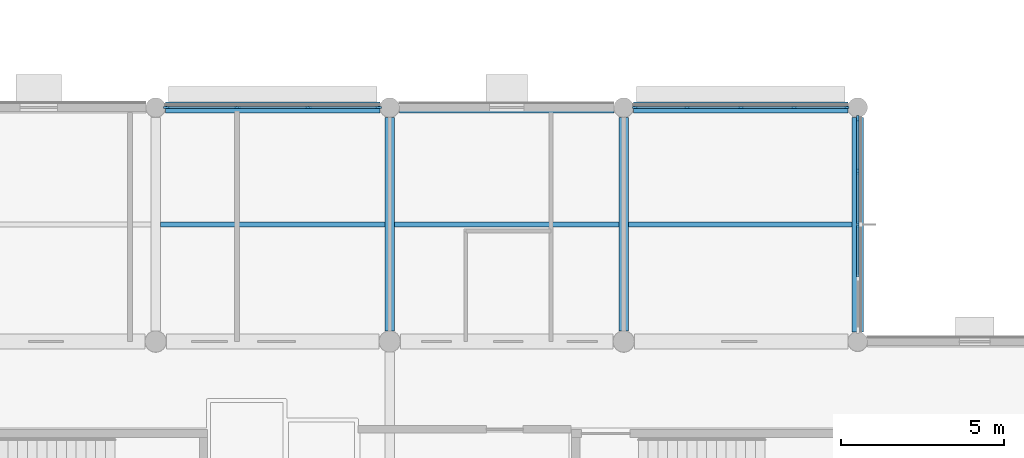
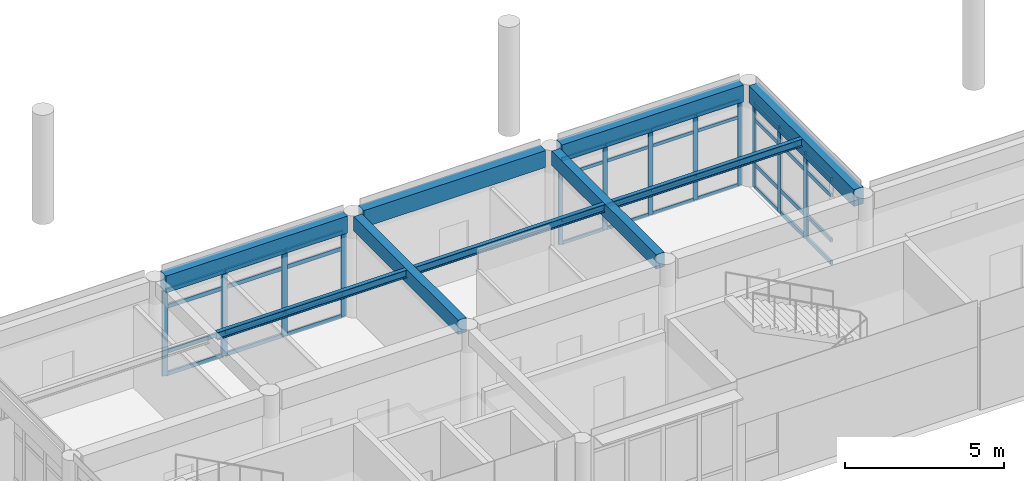
# One storey, part 14 of 55: 52 members, 9 beams, 3 elements without a shape of their own.
"""IFC4 building model written with IfcOpenShell, lengths in metres."""

from ifc_helpers import new_model, si_unit, direction, frame, origin, origin_2d, place, context, subcontext, project, spatial, rectangle, i_section, extrude, material, layer, layer_set, material_profile, profile_set, type_object, element, aggregate, save


model = new_model("IFC4")

# Units and contexts
model_context = context("Model", 3, precision=1e-05, world=origin(), true_north=direction((0.0, 1.0)))
body_context = subcontext(model_context, "Body", "Model", "MODEL_VIEW")
ifc_project = project(units=[si_unit("LENGTHUNIT", "METRE"), si_unit("AREAUNIT", "SQUARE_METRE"), si_unit("VOLUMEUNIT", "CUBIC_METRE"), si_unit("PLANEANGLEUNIT", "RADIAN"), si_unit("MASSUNIT", "GRAM", prefix="KILO")], contexts=[model_context])

# Site, building, storey
site_placement = place(None, origin())
site = spatial("IfcSite", under=ifc_project, at=site_placement, CompositionType="ELEMENT")
building_placement = place(site_placement, origin())
building = spatial("IfcBuilding", under=site, at=building_placement, Name="Namkhue Oval Health Centre", CompositionType="ELEMENT")
storey_placement = place(building_placement, frame((0.0, 0.0, 9.60009765625)))
storey = spatial("IfcBuildingStorey", under=building, at=storey_placement, Name="L02", CompositionType="ELEMENT", Elevation=9.60009765625)

# Curtain wall, members
ifc_material_1 = material(Name="Anodised aluminium EN AW-6063 T6", Category="aluminium")
ifc_layer_1 = layer(ifc_material_1, 0.159912109375)
ifc_layer_set_1 = layer_set([ifc_layer_1], Name="Anodised aluminium EN AW-6063 T6")
curtain_wall_type_1 = type_object("IfcCurtainWallType", Name="UNITISED CURTAIN WALL M1800", PredefinedType="NOTDEFINED", material=ifc_layer_set_1)
curtain_wall_1_placement = place(storey_placement, origin())
curtain_wall_1 = element("IfcCurtainWall", 1, at=curtain_wall_1_placement, inside=storey, type_object=curtain_wall_type_1, Name="Volume V3 L02 Unitised Curtain Wall 113", PredefinedType="NOTDEFINED")
ifc_material_profile_1 = material_profile(ifc_material_1, rectangle(XDim=0.06494140625, YDim=0.159912109375, at=origin_2d()), Name="ALU 65x160")
ifc_profile_set_1 = profile_set([ifc_material_profile_1], Name="Anodised aluminium EN AW-6063 T6")
member_type_1 = type_object("IfcMemberType", Name="CURTAIN WALL MULLION 65X160", PredefinedType="MULLION", material=ifc_profile_set_1)
member_1_placement = place(storey_placement, frame((122.0576171875, 104.39990234375, 0.0), z_axis=(0.0, 0.0, 1.0), x_axis=(0.0, -1.0, 0.0)))
member_1 = element("IfcMember", 2, at=member_1_placement, type_object=member_type_1, Name="CW-05 mullion 1", PredefinedType="MULLION", context=body_context, shape_type="SweptSolid", body=[
    extrude(rectangle(XDim=0.06494140625, YDim=0.159912109375, at=origin_2d()), origin(), (0.0, 0.0, 1.0), 3.27490234375),
])
member_2_placement = place(storey_placement, frame((120.445068359375, 104.39990234375, 0.0), z_axis=(0.0, 0.0, 1.0), x_axis=(0.0, -1.0, 0.0)))
member_2 = element("IfcMember", 3, at=member_2_placement, type_object=member_type_1, Name="CW-05 mullion 2", PredefinedType="MULLION", context=body_context, shape_type="SweptSolid", body=[
    extrude(rectangle(XDim=0.06494140625, YDim=0.159912109375, at=origin_2d()), origin(), (0.0, 0.0, 1.0), 3.27490234375),
])
member_3_placement = place(storey_placement, frame((118.800048828125, 104.39990234375, 0.0), z_axis=(0.0, 0.0, 1.0), x_axis=(0.0, -1.0, 0.0)))
member_3 = element("IfcMember", 4, at=member_3_placement, type_object=member_type_1, Name="CW-05 mullion 3", PredefinedType="MULLION", context=body_context, shape_type="SweptSolid", body=[
    extrude(rectangle(XDim=0.06494140625, YDim=0.159912109375, at=origin_2d()), origin(), (0.0, 0.0, 1.0), 3.27490234375),
])
member_4_placement = place(storey_placement, frame((117.155029296875, 104.39990234375, 0.0), z_axis=(0.0, 0.0, 1.0), x_axis=(0.0, -1.0, 0.0)))
member_4 = element("IfcMember", 5, at=member_4_placement, type_object=member_type_1, Name="CW-05 mullion 4", PredefinedType="MULLION", context=body_context, shape_type="SweptSolid", body=[
    extrude(rectangle(XDim=0.06494140625, YDim=0.159912109375, at=origin_2d()), origin(), (0.0, 0.0, 1.0), 3.27490234375),
])
member_5_placement = place(storey_placement, frame((115.54248046875, 104.39990234375, 0.0), z_axis=(0.0, 0.0, 1.0), x_axis=(0.0, -1.0, 0.0)))
member_5 = element("IfcMember", 6, at=member_5_placement, type_object=member_type_1, Name="CW-05 mullion 5", PredefinedType="MULLION", context=body_context, shape_type="SweptSolid", body=[
    extrude(rectangle(XDim=0.06494140625, YDim=0.159912109375, at=origin_2d()), origin(), (0.0, 0.0, 1.0), 3.27490234375),
])

ifc_layer_2 = layer(ifc_material_1, 0.159912109375)
ifc_layer_set_2 = layer_set([ifc_layer_2], Name="Anodised aluminium EN AW-6063 T6")
curtain_wall_type_2 = type_object("IfcCurtainWallType", Name="UNITISED CURTAIN WALL M1600", PredefinedType="NOTDEFINED", material=ifc_layer_set_2)
curtain_wall_2_placement = place(storey_placement, origin())
curtain_wall_2 = element("IfcCurtainWall", 7, at=curtain_wall_2_placement, inside=storey, type_object=curtain_wall_type_2, Name="Volume V3 L02 Unitised Curtain Wall 112", PredefinedType="NOTDEFINED")
ifc_material_profile_2 = material_profile(ifc_material_1, rectangle(XDim=0.074951171875, YDim=0.199951171875, at=origin_2d()), Name="ALU 75x200")
ifc_profile_set_2 = profile_set([ifc_material_profile_2], Name="Anodised aluminium EN AW-6063 T6")
member_type_2 = type_object("IfcMemberType", Name="CURTAIN WALL MULLION 75X200", PredefinedType="MULLION", material=ifc_profile_set_2)
member_6_placement = place(storey_placement, frame((122.39990234375, 100.800048828125, 0.0), z_axis=(0.0, 0.0, 1.0), x_axis=(-1.0, 0.0, 0.0)))
member_6 = element("IfcMember", 8, at=member_6_placement, type_object=member_type_2, Name="CW-04 mullion 3", PredefinedType="MULLION", context=body_context, shape_type="SweptSolid", body=[
    extrude(rectangle(XDim=0.074951171875, YDim=0.199951171875, at=origin_2d()), origin(), (0.0, 0.0, 1.0), 3.27490234375),
])
member_7_placement = place(storey_placement, frame((122.39990234375, 102.445068359375, 0.0), z_axis=(0.0, 0.0, 1.0), x_axis=(-1.0, 0.0, 0.0)))
member_7 = element("IfcMember", 9, at=member_7_placement, type_object=member_type_2, Name="CW-04 mullion 4", PredefinedType="MULLION", context=body_context, shape_type="SweptSolid", body=[
    extrude(rectangle(XDim=0.074951171875, YDim=0.199951171875, at=origin_2d()), origin(), (0.0, 0.0, 1.0), 3.27490234375),
])
member_8_placement = place(storey_placement, frame((122.39990234375, 104.052490234375, 0.0), z_axis=(0.0, 0.0, 1.0), x_axis=(-1.0, 0.0, 0.0)))
member_8 = element("IfcMember", 10, at=member_8_placement, type_object=member_type_2, Name="CW-04 mullion 5", PredefinedType="MULLION", context=body_context, shape_type="SweptSolid", body=[
    extrude(rectangle(XDim=0.074951171875, YDim=0.199951171875, at=origin_2d()), origin(), (0.0, 0.0, 1.0), 3.27490234375),
])

ifc_layer_3 = layer(ifc_material_1, 0.159912109375)
ifc_layer_set_3 = layer_set([ifc_layer_3], Name="Anodised aluminium EN AW-6063 T6")
curtain_wall_type_3 = type_object("IfcCurtainWallType", Name="UNITISED CURTAIN WALL M2000", PredefinedType="NOTDEFINED", material=ifc_layer_set_3)
curtain_wall_3_placement = place(storey_placement, origin())
curtain_wall_3 = element("IfcCurtainWall", 11, at=curtain_wall_3_placement, inside=storey, type_object=curtain_wall_type_3, Name="Volume V3 L02 Unitised Curtain Wall 114", PredefinedType="NOTDEFINED")
member_9_placement = place(storey_placement, frame((107.652587890625, 104.39990234375, 0.0), z_axis=(0.0, 0.0, 1.0), x_axis=(0.0, -1.0, 0.0)))
member_9 = element("IfcMember", 12, at=member_9_placement, type_object=member_type_2, Name="CW-06 mullion 1", PredefinedType="MULLION", context=body_context, shape_type="SweptSolid", body=[
    extrude(rectangle(XDim=0.074951171875, YDim=0.199951171875, at=origin_2d()), origin(), (0.0, 0.0, 1.0), 3.27490234375),
])
member_10_placement = place(storey_placement, frame((105.49658203125, 104.39990234375, 0.0), z_axis=(0.0, 0.0, 1.0), x_axis=(0.0, -1.0, 0.0)))
member_10 = element("IfcMember", 13, at=member_10_placement, type_object=member_type_2, Name="CW-06 mullion 2", PredefinedType="MULLION", context=body_context, shape_type="SweptSolid", body=[
    extrude(rectangle(XDim=0.074951171875, YDim=0.199951171875, at=origin_2d()), origin(), (0.0, 0.0, 1.0), 3.27490234375),
])
member_11_placement = place(storey_placement, frame((103.30322265625, 104.39990234375, 0.0), z_axis=(0.0, 0.0, 1.0), x_axis=(0.0, -1.0, 0.0)))
member_11 = element("IfcMember", 14, at=member_11_placement, type_object=member_type_2, Name="CW-06 mullion 3", PredefinedType="MULLION", context=body_context, shape_type="SweptSolid", body=[
    extrude(rectangle(XDim=0.074951171875, YDim=0.199951171875, at=origin_2d()), origin(), (0.0, 0.0, 1.0), 3.27490234375),
])
member_12_placement = place(storey_placement, frame((101.1474609375, 104.39990234375, 0.0), z_axis=(0.0, 0.0, 1.0), x_axis=(0.0, -1.0, 0.0)))
member_12 = element("IfcMember", 15, at=member_12_placement, type_object=member_type_2, Name="CW-06 mullion 4", PredefinedType="MULLION", context=body_context, shape_type="SweptSolid", body=[
    extrude(rectangle(XDim=0.074951171875, YDim=0.199951171875, at=origin_2d()), origin(), (0.0, 0.0, 1.0), 3.27490234375),
])

# Member
ifc_material_profile_3 = material_profile(ifc_material_1, rectangle(XDim=0.06494140625, YDim=0.1201171875, at=origin_2d()), Name="ALU 65x120")
ifc_profile_set_3 = profile_set([ifc_material_profile_3], Name="Anodised aluminium EN AW-6063 T6")
member_type_3 = type_object("IfcMemberType", Name="CURTAIN WALL TRANSOM 65X120", PredefinedType="USERDEFINED", material=ifc_profile_set_3)
member_13_placement = place(storey_placement, frame((122.02490234375, 104.39990234375, 0.032470703125), z_axis=(-1.0, 0.0, 0.0), x_axis=(0.0, -1.0, 0.0)))
member_13 = element("IfcMember", 16, at=member_13_placement, type_object=member_type_3, Name="CW-05 transom 1.1", ObjectType="TRANSOM", PredefinedType="USERDEFINED", context=body_context, shape_type="SweptSolid", body=[
    extrude(rectangle(XDim=0.06494140625, YDim=0.1201171875, at=origin_2d()), origin(), (0.0, 0.0, 1.0), 1.54736328125),
])

member_14_placement = place(storey_placement, frame((122.02490234375, 104.39990234375, 0.89990234375), z_axis=(-1.0, 0.0, 0.0), x_axis=(0.0, -1.0, 0.0)))
member_14 = element("IfcMember", 17, at=member_14_placement, type_object=member_type_3, Name="CW-05 transom 1.2", ObjectType="TRANSOM", PredefinedType="USERDEFINED", context=body_context, shape_type="SweptSolid", body=[
    extrude(rectangle(XDim=0.06494140625, YDim=0.1201171875, at=origin_2d()), origin(), (0.0, 0.0, 1.0), 1.54736328125),
])

member_15_placement = place(storey_placement, frame((122.02490234375, 104.39990234375, 2.625), z_axis=(-1.0, 0.0, 0.0), x_axis=(0.0, -1.0, 0.0)))
member_15 = element("IfcMember", 18, at=member_15_placement, type_object=member_type_3, Name="CW-05 transom 1.3", ObjectType="TRANSOM", PredefinedType="USERDEFINED", context=body_context, shape_type="SweptSolid", body=[
    extrude(rectangle(XDim=0.06494140625, YDim=0.1201171875, at=origin_2d()), origin(), (0.0, 0.0, 1.0), 1.54736328125),
])

member_16_placement = place(storey_placement, frame((122.02490234375, 104.39990234375, 3.242431640625), z_axis=(-1.0, 0.0, 0.0), x_axis=(0.0, -1.0, 0.0)))
member_16 = element("IfcMember", 19, at=member_16_placement, type_object=member_type_3, Name="CW-05 transom 1.4", ObjectType="TRANSOM", PredefinedType="USERDEFINED", context=body_context, shape_type="SweptSolid", body=[
    extrude(rectangle(XDim=0.06494140625, YDim=0.1201171875, at=origin_2d()), origin(), (0.0, 0.0, 1.0), 1.54736328125),
])

member_17_placement = place(storey_placement, frame((120.41259765625, 104.39990234375, 0.032470703125), z_axis=(-1.0, 0.0, 0.0), x_axis=(0.0, -1.0, 0.0)))
member_17 = element("IfcMember", 20, at=member_17_placement, type_object=member_type_3, Name="CW-05 transom 2.1", ObjectType="TRANSOM", PredefinedType="USERDEFINED", context=body_context, shape_type="SweptSolid", body=[
    extrude(rectangle(XDim=0.06494140625, YDim=0.1201171875, at=origin_2d()), origin(), (0.0, 0.0, 1.0), 1.580078125),
])

member_18_placement = place(storey_placement, frame((120.41259765625, 104.39990234375, 0.89990234375), z_axis=(-1.0, 0.0, 0.0), x_axis=(0.0, -1.0, 0.0)))
member_18 = element("IfcMember", 21, at=member_18_placement, type_object=member_type_3, Name="CW-05 transom 2.2", ObjectType="TRANSOM", PredefinedType="USERDEFINED", context=body_context, shape_type="SweptSolid", body=[
    extrude(rectangle(XDim=0.06494140625, YDim=0.1201171875, at=origin_2d()), origin(), (0.0, 0.0, 1.0), 1.580078125),
])

member_19_placement = place(storey_placement, frame((120.41259765625, 104.39990234375, 2.625), z_axis=(-1.0, 0.0, 0.0), x_axis=(0.0, -1.0, 0.0)))
member_19 = element("IfcMember", 22, at=member_19_placement, type_object=member_type_3, Name="CW-05 transom 2.3", ObjectType="TRANSOM", PredefinedType="USERDEFINED", context=body_context, shape_type="SweptSolid", body=[
    extrude(rectangle(XDim=0.06494140625, YDim=0.1201171875, at=origin_2d()), origin(), (0.0, 0.0, 1.0), 1.580078125),
])

member_20_placement = place(storey_placement, frame((120.41259765625, 104.39990234375, 3.242431640625), z_axis=(-1.0, 0.0, 0.0), x_axis=(0.0, -1.0, 0.0)))
member_20 = element("IfcMember", 23, at=member_20_placement, type_object=member_type_3, Name="CW-05 transom 2.4", ObjectType="TRANSOM", PredefinedType="USERDEFINED", context=body_context, shape_type="SweptSolid", body=[
    extrude(rectangle(XDim=0.06494140625, YDim=0.1201171875, at=origin_2d()), origin(), (0.0, 0.0, 1.0), 1.580078125),
])

member_21_placement = place(storey_placement, frame((118.767578125, 104.39990234375, 0.032470703125), z_axis=(-1.0, 0.0, 0.0), x_axis=(0.0, -1.0, 0.0)))
member_21 = element("IfcMember", 24, at=member_21_placement, type_object=member_type_3, Name="CW-05 transom 3.1", ObjectType="TRANSOM", PredefinedType="USERDEFINED", context=body_context, shape_type="SweptSolid", body=[
    extrude(rectangle(XDim=0.06494140625, YDim=0.1201171875, at=origin_2d()), origin(), (0.0, 0.0, 1.0), 1.580078125),
])

member_22_placement = place(storey_placement, frame((118.767578125, 104.39990234375, 0.89990234375), z_axis=(-1.0, 0.0, 0.0), x_axis=(0.0, -1.0, 0.0)))
member_22 = element("IfcMember", 25, at=member_22_placement, type_object=member_type_3, Name="CW-05 transom 3.2", ObjectType="TRANSOM", PredefinedType="USERDEFINED", context=body_context, shape_type="SweptSolid", body=[
    extrude(rectangle(XDim=0.06494140625, YDim=0.1201171875, at=origin_2d()), origin(), (0.0, 0.0, 1.0), 1.580078125),
])

member_23_placement = place(storey_placement, frame((118.767578125, 104.39990234375, 2.625), z_axis=(-1.0, 0.0, 0.0), x_axis=(0.0, -1.0, 0.0)))
member_23 = element("IfcMember", 26, at=member_23_placement, type_object=member_type_3, Name="CW-05 transom 3.3", ObjectType="TRANSOM", PredefinedType="USERDEFINED", context=body_context, shape_type="SweptSolid", body=[
    extrude(rectangle(XDim=0.06494140625, YDim=0.1201171875, at=origin_2d()), origin(), (0.0, 0.0, 1.0), 1.580078125),
])

member_24_placement = place(storey_placement, frame((118.767578125, 104.39990234375, 3.242431640625), z_axis=(-1.0, 0.0, 0.0), x_axis=(0.0, -1.0, 0.0)))
member_24 = element("IfcMember", 27, at=member_24_placement, type_object=member_type_3, Name="CW-05 transom 3.4", ObjectType="TRANSOM", PredefinedType="USERDEFINED", context=body_context, shape_type="SweptSolid", body=[
    extrude(rectangle(XDim=0.06494140625, YDim=0.1201171875, at=origin_2d()), origin(), (0.0, 0.0, 1.0), 1.580078125),
])

member_25_placement = place(storey_placement, frame((117.12255859375, 104.39990234375, 0.032470703125), z_axis=(-1.0, 0.0, 0.0), x_axis=(0.0, -1.0, 0.0)))
member_25 = element("IfcMember", 28, at=member_25_placement, type_object=member_type_3, Name="CW-05 transom 4.1", ObjectType="TRANSOM", PredefinedType="USERDEFINED", context=body_context, shape_type="SweptSolid", body=[
    extrude(rectangle(XDim=0.06494140625, YDim=0.1201171875, at=origin_2d()), origin(), (0.0, 0.0, 1.0), 1.547607421875),
])

member_26_placement = place(storey_placement, frame((117.12255859375, 104.39990234375, 0.89990234375), z_axis=(-1.0, 0.0, 0.0), x_axis=(0.0, -1.0, 0.0)))
member_26 = element("IfcMember", 29, at=member_26_placement, type_object=member_type_3, Name="CW-05 transom 4.2", ObjectType="TRANSOM", PredefinedType="USERDEFINED", context=body_context, shape_type="SweptSolid", body=[
    extrude(rectangle(XDim=0.06494140625, YDim=0.1201171875, at=origin_2d()), origin(), (0.0, 0.0, 1.0), 1.547607421875),
])

member_27_placement = place(storey_placement, frame((117.12255859375, 104.39990234375, 2.625), z_axis=(-1.0, 0.0, 0.0), x_axis=(0.0, -1.0, 0.0)))
member_27 = element("IfcMember", 30, at=member_27_placement, type_object=member_type_3, Name="CW-05 transom 4.3", ObjectType="TRANSOM", PredefinedType="USERDEFINED", context=body_context, shape_type="SweptSolid", body=[
    extrude(rectangle(XDim=0.06494140625, YDim=0.1201171875, at=origin_2d()), origin(), (0.0, 0.0, 1.0), 1.547607421875),
])

member_28_placement = place(storey_placement, frame((117.12255859375, 104.39990234375, 3.242431640625), z_axis=(-1.0, 0.0, 0.0), x_axis=(0.0, -1.0, 0.0)))
member_28 = element("IfcMember", 31, at=member_28_placement, type_object=member_type_3, Name="CW-05 transom 4.4", ObjectType="TRANSOM", PredefinedType="USERDEFINED", context=body_context, shape_type="SweptSolid", body=[
    extrude(rectangle(XDim=0.06494140625, YDim=0.1201171875, at=origin_2d()), origin(), (0.0, 0.0, 1.0), 1.547607421875),
])

aggregate(curtain_wall_1, [member_1, member_2, member_3, member_4, member_5, member_13, member_14, member_15, member_16, member_17, member_18, member_19, member_20, member_21, member_22, member_23, member_24, member_25, member_26, member_27, member_28])

ifc_material_profile_4 = material_profile(ifc_material_1, rectangle(XDim=0.074951171875, YDim=0.14990234375, at=origin_2d()), Name="ALU 75x150")
ifc_profile_set_4 = profile_set([ifc_material_profile_4], Name="Anodised aluminium EN AW-6063 T6")
member_type_4 = type_object("IfcMemberType", Name="CURTAIN WALL TRANSOM 75X150", PredefinedType="USERDEFINED", material=ifc_profile_set_4)
member_29_placement = place(storey_placement, frame((122.39990234375, 99.1923828125, 0.037353515625), z_axis=(0.0, 1.0, 0.0), x_axis=(-1.0, 0.0, 0.0)))
member_29 = element("IfcMember", 32, at=member_29_placement, type_object=member_type_4, Name="CW-04 transom 2.1", ObjectType="TRANSOM", PredefinedType="USERDEFINED", context=body_context, shape_type="SweptSolid", body=[
    extrude(rectangle(XDim=0.074951171875, YDim=0.14990234375, at=origin_2d()), origin(), (0.0, 0.0, 1.0), 1.570068359375),
])

member_30_placement = place(storey_placement, frame((122.39990234375, 99.1923828125, 0.89990234375), z_axis=(0.0, 1.0, 0.0), x_axis=(-1.0, 0.0, 0.0)))
member_30 = element("IfcMember", 33, at=member_30_placement, type_object=member_type_4, Name="CW-04 transom 2.2", ObjectType="TRANSOM", PredefinedType="USERDEFINED", context=body_context, shape_type="SweptSolid", body=[
    extrude(rectangle(XDim=0.074951171875, YDim=0.14990234375, at=origin_2d()), origin(), (0.0, 0.0, 1.0), 1.570068359375),
])

member_31_placement = place(storey_placement, frame((122.39990234375, 99.1923828125, 2.625), z_axis=(0.0, 1.0, 0.0), x_axis=(-1.0, 0.0, 0.0)))
member_31 = element("IfcMember", 34, at=member_31_placement, type_object=member_type_4, Name="CW-04 transom 2.3", ObjectType="TRANSOM", PredefinedType="USERDEFINED", context=body_context, shape_type="SweptSolid", body=[
    extrude(rectangle(XDim=0.074951171875, YDim=0.14990234375, at=origin_2d()), origin(), (0.0, 0.0, 1.0), 1.570068359375),
])

member_32_placement = place(storey_placement, frame((122.39990234375, 99.1923828125, 3.2373046875), z_axis=(0.0, 1.0, 0.0), x_axis=(-1.0, 0.0, 0.0)))
member_32 = element("IfcMember", 35, at=member_32_placement, type_object=member_type_4, Name="CW-04 transom 2.4", ObjectType="TRANSOM", PredefinedType="USERDEFINED", context=body_context, shape_type="SweptSolid", body=[
    extrude(rectangle(XDim=0.074951171875, YDim=0.14990234375, at=origin_2d()), origin(), (0.0, 0.0, 1.0), 1.570068359375),
])

member_33_placement = place(storey_placement, frame((122.39990234375, 100.83740234375, 0.037353515625), z_axis=(0.0, 1.0, 0.0), x_axis=(-1.0, 0.0, 0.0)))
member_33 = element("IfcMember", 36, at=member_33_placement, type_object=member_type_4, Name="CW-04 transom 3.1", ObjectType="TRANSOM", PredefinedType="USERDEFINED", context=body_context, shape_type="SweptSolid", body=[
    extrude(rectangle(XDim=0.074951171875, YDim=0.14990234375, at=origin_2d()), origin(), (0.0, 0.0, 1.0), 1.570068359375),
])

member_34_placement = place(storey_placement, frame((122.39990234375, 100.83740234375, 0.89990234375), z_axis=(0.0, 1.0, 0.0), x_axis=(-1.0, 0.0, 0.0)))
member_34 = element("IfcMember", 37, at=member_34_placement, type_object=member_type_4, Name="CW-04 transom 3.2", ObjectType="TRANSOM", PredefinedType="USERDEFINED", context=body_context, shape_type="SweptSolid", body=[
    extrude(rectangle(XDim=0.074951171875, YDim=0.14990234375, at=origin_2d()), origin(), (0.0, 0.0, 1.0), 1.570068359375),
])

member_35_placement = place(storey_placement, frame((122.39990234375, 100.83740234375, 2.625), z_axis=(0.0, 1.0, 0.0), x_axis=(-1.0, 0.0, 0.0)))
member_35 = element("IfcMember", 38, at=member_35_placement, type_object=member_type_4, Name="CW-04 transom 3.3", ObjectType="TRANSOM", PredefinedType="USERDEFINED", context=body_context, shape_type="SweptSolid", body=[
    extrude(rectangle(XDim=0.074951171875, YDim=0.14990234375, at=origin_2d()), origin(), (0.0, 0.0, 1.0), 1.570068359375),
])

member_36_placement = place(storey_placement, frame((122.39990234375, 100.83740234375, 3.2373046875), z_axis=(0.0, 1.0, 0.0), x_axis=(-1.0, 0.0, 0.0)))
member_36 = element("IfcMember", 39, at=member_36_placement, type_object=member_type_4, Name="CW-04 transom 3.4", ObjectType="TRANSOM", PredefinedType="USERDEFINED", context=body_context, shape_type="SweptSolid", body=[
    extrude(rectangle(XDim=0.074951171875, YDim=0.14990234375, at=origin_2d()), origin(), (0.0, 0.0, 1.0), 1.570068359375),
])

member_37_placement = place(storey_placement, frame((122.39990234375, 102.482421875, 0.037353515625), z_axis=(0.0, 1.0, 0.0), x_axis=(-1.0, 0.0, 0.0)))
member_37 = element("IfcMember", 40, at=member_37_placement, type_object=member_type_4, Name="CW-04 transom 4.1", ObjectType="TRANSOM", PredefinedType="USERDEFINED", context=body_context, shape_type="SweptSolid", body=[
    extrude(rectangle(XDim=0.074951171875, YDim=0.14990234375, at=origin_2d()), origin(), (0.0, 0.0, 1.0), 1.532470703125),
])

member_38_placement = place(storey_placement, frame((122.39990234375, 102.482421875, 0.89990234375), z_axis=(0.0, 1.0, 0.0), x_axis=(-1.0, 0.0, 0.0)))
member_38 = element("IfcMember", 41, at=member_38_placement, type_object=member_type_4, Name="CW-04 transom 4.2", ObjectType="TRANSOM", PredefinedType="USERDEFINED", context=body_context, shape_type="SweptSolid", body=[
    extrude(rectangle(XDim=0.074951171875, YDim=0.14990234375, at=origin_2d()), origin(), (0.0, 0.0, 1.0), 1.532470703125),
])

member_39_placement = place(storey_placement, frame((122.39990234375, 102.482421875, 2.625), z_axis=(0.0, 1.0, 0.0), x_axis=(-1.0, 0.0, 0.0)))
member_39 = element("IfcMember", 42, at=member_39_placement, type_object=member_type_4, Name="CW-04 transom 4.3", ObjectType="TRANSOM", PredefinedType="USERDEFINED", context=body_context, shape_type="SweptSolid", body=[
    extrude(rectangle(XDim=0.074951171875, YDim=0.14990234375, at=origin_2d()), origin(), (0.0, 0.0, 1.0), 1.532470703125),
])

member_40_placement = place(storey_placement, frame((122.39990234375, 102.482421875, 3.2373046875), z_axis=(0.0, 1.0, 0.0), x_axis=(-1.0, 0.0, 0.0)))
member_40 = element("IfcMember", 43, at=member_40_placement, type_object=member_type_4, Name="CW-04 transom 4.4", ObjectType="TRANSOM", PredefinedType="USERDEFINED", context=body_context, shape_type="SweptSolid", body=[
    extrude(rectangle(XDim=0.074951171875, YDim=0.14990234375, at=origin_2d()), origin(), (0.0, 0.0, 1.0), 1.532470703125),
])

aggregate(curtain_wall_2, [member_6, member_7, member_8, member_29, member_30, member_31, member_32, member_33, member_34, member_35, member_36, member_37, member_38, member_39, member_40])

member_41_placement = place(storey_placement, frame((107.614990234375, 104.39990234375, 0.037353515625), z_axis=(-1.0, 0.0, 0.0), x_axis=(0.0, -1.0, 0.0)))
member_41 = element("IfcMember", 44, at=member_41_placement, type_object=member_type_4, Name="CW-06 transom 1.1", ObjectType="TRANSOM", PredefinedType="USERDEFINED", context=body_context, shape_type="SweptSolid", body=[
    extrude(rectangle(XDim=0.074951171875, YDim=0.14990234375, at=origin_2d()), origin(), (0.0, 0.0, 1.0), 2.080810546875),
])

member_42_placement = place(storey_placement, frame((107.614990234375, 104.39990234375, 0.89990234375), z_axis=(-1.0, 0.0, 0.0), x_axis=(0.0, -1.0, 0.0)))
member_42 = element("IfcMember", 45, at=member_42_placement, type_object=member_type_4, Name="CW-06 transom 1.2", ObjectType="TRANSOM", PredefinedType="USERDEFINED", context=body_context, shape_type="SweptSolid", body=[
    extrude(rectangle(XDim=0.074951171875, YDim=0.14990234375, at=origin_2d()), origin(), (0.0, 0.0, 1.0), 2.080810546875),
])

member_43_placement = place(storey_placement, frame((107.614990234375, 104.39990234375, 2.625), z_axis=(-1.0, 0.0, 0.0), x_axis=(0.0, -1.0, 0.0)))
member_43 = element("IfcMember", 46, at=member_43_placement, type_object=member_type_4, Name="CW-06 transom 1.3", ObjectType="TRANSOM", PredefinedType="USERDEFINED", context=body_context, shape_type="SweptSolid", body=[
    extrude(rectangle(XDim=0.074951171875, YDim=0.14990234375, at=origin_2d()), origin(), (0.0, 0.0, 1.0), 2.080810546875),
])

member_44_placement = place(storey_placement, frame((107.614990234375, 104.39990234375, 3.2373046875), z_axis=(-1.0, 0.0, 0.0), x_axis=(0.0, -1.0, 0.0)))
member_44 = element("IfcMember", 47, at=member_44_placement, type_object=member_type_4, Name="CW-06 transom 1.4", ObjectType="TRANSOM", PredefinedType="USERDEFINED", context=body_context, shape_type="SweptSolid", body=[
    extrude(rectangle(XDim=0.074951171875, YDim=0.14990234375, at=origin_2d()), origin(), (0.0, 0.0, 1.0), 2.080810546875),
])

member_45_placement = place(storey_placement, frame((105.459228515625, 104.39990234375, 0.037353515625), z_axis=(-1.0, 0.0, 0.0), x_axis=(0.0, -1.0, 0.0)))
member_45 = element("IfcMember", 48, at=member_45_placement, type_object=member_type_4, Name="CW-06 transom 2.1", ObjectType="TRANSOM", PredefinedType="USERDEFINED", context=body_context, shape_type="SweptSolid", body=[
    extrude(rectangle(XDim=0.074951171875, YDim=0.14990234375, at=origin_2d()), origin(), (0.0, 0.0, 1.0), 2.118408203125),
])

member_46_placement = place(storey_placement, frame((105.459228515625, 104.39990234375, 0.89990234375), z_axis=(-1.0, 0.0, 0.0), x_axis=(0.0, -1.0, 0.0)))
member_46 = element("IfcMember", 49, at=member_46_placement, type_object=member_type_4, Name="CW-06 transom 2.2", ObjectType="TRANSOM", PredefinedType="USERDEFINED", context=body_context, shape_type="SweptSolid", body=[
    extrude(rectangle(XDim=0.074951171875, YDim=0.14990234375, at=origin_2d()), origin(), (0.0, 0.0, 1.0), 2.118408203125),
])

member_47_placement = place(storey_placement, frame((105.459228515625, 104.39990234375, 2.625), z_axis=(-1.0, 0.0, 0.0), x_axis=(0.0, -1.0, 0.0)))
member_47 = element("IfcMember", 50, at=member_47_placement, type_object=member_type_4, Name="CW-06 transom 2.3", ObjectType="TRANSOM", PredefinedType="USERDEFINED", context=body_context, shape_type="SweptSolid", body=[
    extrude(rectangle(XDim=0.074951171875, YDim=0.14990234375, at=origin_2d()), origin(), (0.0, 0.0, 1.0), 2.118408203125),
])

member_48_placement = place(storey_placement, frame((105.459228515625, 104.39990234375, 3.2373046875), z_axis=(-1.0, 0.0, 0.0), x_axis=(0.0, -1.0, 0.0)))
member_48 = element("IfcMember", 51, at=member_48_placement, type_object=member_type_4, Name="CW-06 transom 2.4", ObjectType="TRANSOM", PredefinedType="USERDEFINED", context=body_context, shape_type="SweptSolid", body=[
    extrude(rectangle(XDim=0.074951171875, YDim=0.14990234375, at=origin_2d()), origin(), (0.0, 0.0, 1.0), 2.118408203125),
])

member_49_placement = place(storey_placement, frame((103.265869140625, 104.39990234375, 0.037353515625), z_axis=(-1.0, 0.0, 0.0), x_axis=(0.0, -1.0, 0.0)))
member_49 = element("IfcMember", 52, at=member_49_placement, type_object=member_type_4, Name="CW-06 transom 3.1", ObjectType="TRANSOM", PredefinedType="USERDEFINED", context=body_context, shape_type="SweptSolid", body=[
    extrude(rectangle(XDim=0.074951171875, YDim=0.14990234375, at=origin_2d()), origin(), (0.0, 0.0, 1.0), 2.080810546875),
])

member_50_placement = place(storey_placement, frame((103.265869140625, 104.39990234375, 0.89990234375), z_axis=(-1.0, 0.0, 0.0), x_axis=(0.0, -1.0, 0.0)))
member_50 = element("IfcMember", 53, at=member_50_placement, type_object=member_type_4, Name="CW-06 transom 3.2", ObjectType="TRANSOM", PredefinedType="USERDEFINED", context=body_context, shape_type="SweptSolid", body=[
    extrude(rectangle(XDim=0.074951171875, YDim=0.14990234375, at=origin_2d()), origin(), (0.0, 0.0, 1.0), 2.080810546875),
])

member_51_placement = place(storey_placement, frame((103.265869140625, 104.39990234375, 2.625), z_axis=(-1.0, 0.0, 0.0), x_axis=(0.0, -1.0, 0.0)))
member_51 = element("IfcMember", 54, at=member_51_placement, type_object=member_type_4, Name="CW-06 transom 3.3", ObjectType="TRANSOM", PredefinedType="USERDEFINED", context=body_context, shape_type="SweptSolid", body=[
    extrude(rectangle(XDim=0.074951171875, YDim=0.14990234375, at=origin_2d()), origin(), (0.0, 0.0, 1.0), 2.080810546875),
])

member_52_placement = place(storey_placement, frame((103.265869140625, 104.39990234375, 3.2373046875), z_axis=(-1.0, 0.0, 0.0), x_axis=(0.0, -1.0, 0.0)))
member_52 = element("IfcMember", 55, at=member_52_placement, type_object=member_type_4, Name="CW-06 transom 3.4", ObjectType="TRANSOM", PredefinedType="USERDEFINED", context=body_context, shape_type="SweptSolid", body=[
    extrude(rectangle(XDim=0.074951171875, YDim=0.14990234375, at=origin_2d()), origin(), (0.0, 0.0, 1.0), 2.080810546875),
])

aggregate(curtain_wall_3, [member_9, member_10, member_11, member_12, member_41, member_42, member_43, member_44, member_45, member_46, member_47, member_48, member_49, member_50, member_51, member_52])

# Beams
ifc_material_2 = material(Name="Reinforced concrete C30/37 (TCVN B35)", Category="concrete")
ifc_material_profile_5 = material_profile(ifc_material_2, rectangle(XDim=0.300048828125, YDim=0.550048828125, at=origin_2d()), Name="RC 300x550")
ifc_profile_set_5 = profile_set([ifc_material_profile_5], Name="Reinforced concrete C30/37 (TCVN B35)")
beam_type_1 = type_object("IfcBeamType", Name="FLOOR BEAM RC 300X550", PredefinedType="BEAM", material=ifc_profile_set_5)
for number, where, z_axis, x_axis, name in (
    (56, (108.0, 97.52490234375, 3.64990234375), (0.0, 1.0, 0.0), (-1.0, 0.0, 0.0), "Volume V3 L03 Beam 16/O-P"),
    (57, (115.199951171875, 97.52490234375, 3.64990234375), (0.0, 1.0, 0.0), (-1.0, 0.0, 0.0), "Volume V3 L03 Beam 17/O-P"),
):
    element("IfcBeam", number, at=place(storey_placement, frame(where, z_axis=z_axis, x_axis=x_axis)), inside=storey, type_object=beam_type_1, Name=name, PredefinedType="BEAM", context=body_context, shape_type="SweptSolid", body=[
        extrude(rectangle(XDim=0.300048828125, YDim=0.550048828125, at=origin_2d()), origin(), (0.0, 0.0, 1.0), 6.5751953125),
    ])
ifc_material_3 = material(Name="Reinforced concrete C35/45 (TCVN B40)", Category="concrete")
ifc_material_profile_6 = material_profile(ifc_material_3, rectangle(XDim=0.35009765625, YDim=0.64990234375, at=origin_2d()), Name="RC 350x650")
ifc_profile_set_6 = profile_set([ifc_material_profile_6], Name="Reinforced concrete C35/45 (TCVN B40)")
beam_type_2 = type_object("IfcBeamType", Name="PERIMETER SPANDREL BEAM 350X650", PredefinedType="SPANDREL", material=ifc_profile_set_6)
for number, where, z_axis, x_axis, name in (
    (58, (101.10009765625, 104.39990234375, 3.599853515625), (1.0, 0.0, 0.0), (0.0, 1.0, 0.0), "Volume V3 L03 Girder P/15-16"),
    (59, (108.300048828125, 104.39990234375, 3.599853515625), (1.0, 0.0, 0.0), (0.0, 1.0, 0.0), "Volume V3 L03 Girder P/16-17"),
):
    element("IfcBeam", number, at=place(storey_placement, frame(where, z_axis=z_axis, x_axis=x_axis)), inside=storey, type_object=beam_type_2, Name=name, PredefinedType="SPANDREL", context=body_context, shape_type="SweptSolid", body=[
        extrude(rectangle(XDim=0.35009765625, YDim=0.64990234375, at=origin_2d()), origin(), (0.0, 0.0, 1.0), 6.599853515625),
    ])
for number, where, z_axis, x_axis, name in (
    (60, (115.5, 104.39990234375, 3.599853515625), (1.0, 0.0, 0.0), (0.0, 1.0, 0.0), "Volume V3 L03 Girder P/17-18"),
    (61, (122.39990234375, 97.5, 3.599853515625), (0.0, 1.0, 0.0), (-1.0, 0.0, 0.0), "Volume V3 L03 Beam 18/O-P"),
):
    element("IfcBeam", number, at=place(storey_placement, frame(where, z_axis=z_axis, x_axis=x_axis)), inside=storey, type_object=beam_type_2, Name=name, PredefinedType="SPANDREL", context=body_context, shape_type="SweptSolid", body=[
        extrude(rectangle(XDim=0.35009765625, YDim=0.64990234375, at=origin_2d()), origin(), (0.0, 0.0, 1.0), 6.60009765625),
    ])
ifc_material_4 = material(Name="Structural steel EN 10025-2 S355JR (TCVN 5575:2024)", Category="steel")
ifc_material_profile_7 = material_profile(ifc_material_4, i_section(OverallWidth=0.14990234375, OverallDepth=0.300048828125, WebThickness=0.007080078125, FlangeThickness=0.0107421875, FilletRadius=0.014892578125, at=origin_2d()), Name="IPE 300")
ifc_profile_set_7 = profile_set([ifc_material_profile_7], Name="Structural steel EN 10025-2 S355JR (TCVN 5575:2024)")
beam_type_3 = type_object("IfcBeamType", Name="SECONDARY JOIST STEEL IPE 300", PredefinedType="JOIST", material=ifc_profile_set_7)
for number, where, z_axis, x_axis, name in (
    (62, (100.949951171875, 100.800048828125, 3.77490234375), (1.0, 0.0, 0.0), (0.0, 1.0, 0.0), "Volume V3 L03 Secondary Joist 15-16"),
    (63, (108.14990234375, 100.800048828125, 3.77490234375), (1.0, 0.0, 0.0), (0.0, 1.0, 0.0), "Volume V3 L03 Secondary Joist 16-17"),
):
    element("IfcBeam", number, at=place(storey_placement, frame(where, z_axis=z_axis, x_axis=x_axis)), inside=storey, type_object=beam_type_3, Name=name, PredefinedType="JOIST", context=body_context, shape_type="SweptSolid", body=[
        extrude(i_section(OverallWidth=0.14990234375, OverallDepth=0.300048828125, WebThickness=0.007080078125, FlangeThickness=0.0107421875, FilletRadius=0.014892578125, at=origin_2d()), origin(), (0.0, 0.0, 1.0), 6.900146484375),
    ])
beam_placement = place(storey_placement, frame((115.35009765625, 100.800048828125, 3.77490234375), z_axis=(1.0, 0.0, 0.0), x_axis=(0.0, 1.0, 0.0)))
element("IfcBeam", 64, at=beam_placement, inside=storey, type_object=beam_type_3, Name="Volume V3 L03 Secondary Joist 17-18", PredefinedType="JOIST", context=body_context, shape_type="SweptSolid", body=[
    extrude(i_section(OverallWidth=0.14990234375, OverallDepth=0.300048828125, WebThickness=0.007080078125, FlangeThickness=0.0107421875, FilletRadius=0.014892578125, at=origin_2d()), origin(), (0.0, 0.0, 1.0), 6.875),
])

save(model, "model.ifc")
